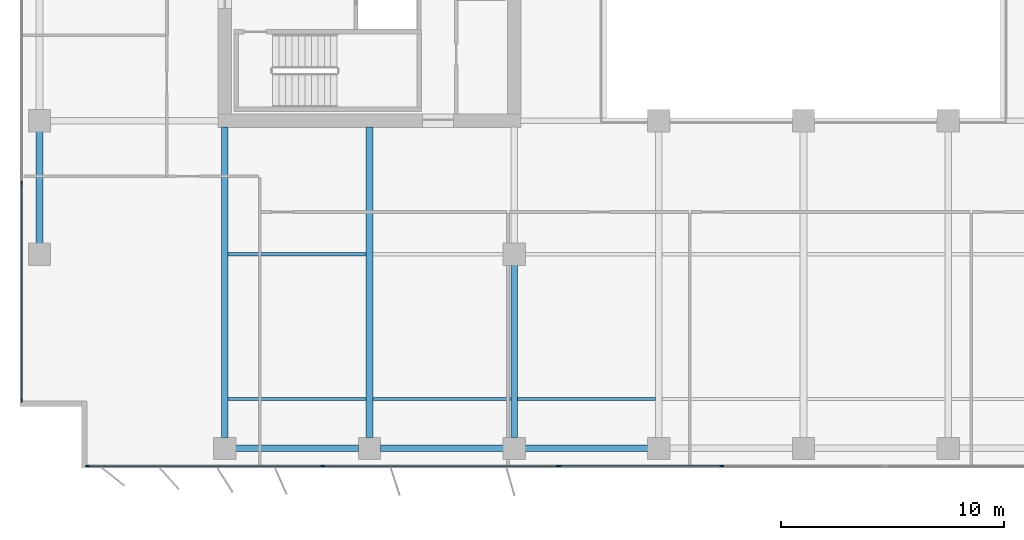
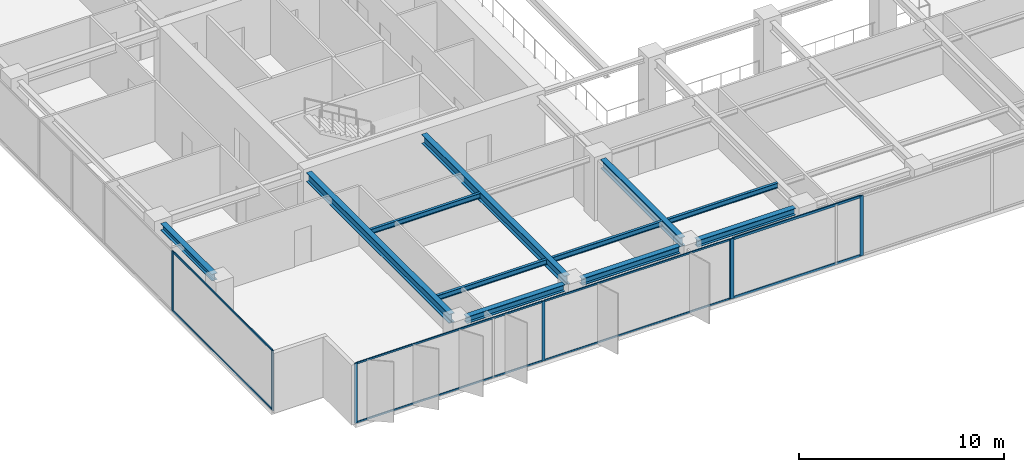
# One storey, part 2 of 22: 15 members, 11 beams, 3 elements without a shape of their own.
"""IFC4 building model written with IfcOpenShell, lengths in metres."""

from ifc_helpers import new_model, si_unit, direction, frame, origin, origin_2d, place, context, subcontext, project, spatial, rectangle, i_section, extrude, material, layer, layer_set, material_profile, profile_set, type_object, element, aggregate, save


model = new_model("IFC4")

# Units and contexts
model_context = context("Model", 3, precision=1e-05, world=origin(), true_north=direction((0.0, 1.0)))
body_context = subcontext(model_context, "Body", "Model", "MODEL_VIEW")
ifc_project = project(units=[si_unit("LENGTHUNIT", "METRE"), si_unit("AREAUNIT", "SQUARE_METRE"), si_unit("VOLUMEUNIT", "CUBIC_METRE"), si_unit("PLANEANGLEUNIT", "RADIAN"), si_unit("MASSUNIT", "GRAM", prefix="KILO")], contexts=[model_context])

# Site, building, storey
site_placement = place(None, origin())
site = spatial("IfcSite", under=ifc_project, at=site_placement, CompositionType="ELEMENT")
building_placement = place(site_placement, origin())
building = spatial("IfcBuilding", under=site, at=building_placement, Name="Putna Gate Headquarters", CompositionType="ELEMENT")
storey_placement = place(building_placement, frame((0.0, 0.0, 189.800048828125)))
storey = spatial("IfcBuildingStorey", under=building, at=storey_placement, Name="L47", CompositionType="ELEMENT", Elevation=189.800048828125)

# Beams
ifc_material_1 = material(Name="Steel S355J2", Category="steel")
ifc_material_profile_1 = material_profile(ifc_material_1, i_section(OverallWidth=0.300048828125, OverallDepth=0.550048828125, WebThickness=0.014892578125, FlangeThickness=0.029052734375, at=origin_2d()), Name="Steel S355J2")
ifc_profile_set_1 = profile_set([ifc_material_profile_1], Name="Steel S355J2")
beam_type_1 = type_object("IfcBeamType", Name="BM-GIRD-Z3-HEB550", PredefinedType="USERDEFINED", material=ifc_profile_set_1)
for number, where, z_axis, x_axis, name in (
    (1, (13.0, 4.76806640625, 3.296875), (0.0, 1.0, 0.0), (-1.0, 0.0, 0.0), "L47 South Primary Girder X13"),
    (2, (19.5, 4.76806640625, 3.296875), (0.0, 1.0, 0.0), (-1.0, 0.0, 0.0), "L47 South Primary Girder X19"),
):
    element("IfcBeam", number, at=place(storey_placement, frame(where, z_axis=z_axis, x_axis=x_axis)), inside=storey, type_object=beam_type_1, Name=name, ObjectType="GIRDER", PredefinedType="USERDEFINED", context=body_context, shape_type="SweptSolid", body=[
        extrude(i_section(OverallWidth=0.300048828125, OverallDepth=0.550048828125, WebThickness=0.014892578125, FlangeThickness=0.029052734375, at=origin_2d()), origin(), (0.0, 0.0, 1.0), 13.947021484375),
    ])
beam_1_placement = place(storey_placement, frame((26.0, 4.76806640625, 3.296875), z_axis=(0.0, 1.0, 0.0), x_axis=(-1.0, 0.0, 0.0)))
element("IfcBeam", 3, at=beam_1_placement, inside=storey, type_object=beam_type_1, Name="L47 South Primary Girder X26-1", ObjectType="GIRDER", PredefinedType="USERDEFINED", context=body_context, shape_type="SweptSolid", body=[
    extrude(i_section(OverallWidth=0.300048828125, OverallDepth=0.550048828125, WebThickness=0.014892578125, FlangeThickness=0.029052734375, at=origin_2d()), origin(), (0.0, 0.0, 1.0), 7.743896484375),
])
ifc_material_profile_2 = material_profile(ifc_material_1, i_section(OverallWidth=0.14990234375, OverallDepth=0.300048828125, WebThickness=0.007080078125, FlangeThickness=0.0107421875, at=origin_2d()), Name="Steel S355J2")
ifc_profile_set_2 = profile_set([ifc_material_profile_2], Name="Steel S355J2")
beam_type_2 = type_object("IfcBeamType", Name="BM-SEC-Z3-IPE300", PredefinedType="JOIST", material=ifc_profile_set_2)
for number, where, z_axis, x_axis, name in (
    (4, (13.154052734375, 6.5, 3.421875), (1.0, 0.0, 0.0), (0.0, 1.0, 0.0), "L47 South Secondary Beam 1"),
    (5, (13.154052734375, 13.0, 3.421875), (1.0, 0.0, 0.0), (0.0, 1.0, 0.0), "L47 South Secondary Beam 1"),
    (6, (19.654052734375, 6.5, 3.421875), (1.0, 0.0, 0.0), (0.0, 1.0, 0.0), "L47 South Secondary Beam 2"),
    (7, (26.154052734375, 6.5, 3.421875), (1.0, 0.0, 0.0), (0.0, 1.0, 0.0), "L47 South Secondary Beam 3"),
):
    element("IfcBeam", number, at=place(storey_placement, frame(where, z_axis=z_axis, x_axis=x_axis)), inside=storey, type_object=beam_type_2, Name=name, PredefinedType="JOIST", context=body_context, shape_type="SweptSolid", body=[
        extrude(i_section(OverallWidth=0.14990234375, OverallDepth=0.300048828125, WebThickness=0.007080078125, FlangeThickness=0.0107421875, at=origin_2d()), origin(), (0.0, 0.0, 1.0), 6.19189453125),
    ])
ifc_material_profile_3 = material_profile(ifc_material_1, i_section(OverallWidth=0.300048828125, OverallDepth=0.39990234375, WebThickness=0.013427734375, FlangeThickness=0.02392578125, at=origin_2d()), Name="Steel S355J2")
ifc_profile_set_3 = profile_set([ifc_material_profile_3], Name="Steel S355J2")
beam_type_3 = type_object("IfcBeamType", Name="BM-SPAN-Z3-HEB400", PredefinedType="SPANDREL", material=ifc_profile_set_3)
for number, where, z_axis, x_axis, name in (
    (8, (13.488037109375, 4.280029296875, 3.3720703125), (1.0, 0.0, 0.0), (0.0, 1.0, 0.0), "L47 S Perimeter Spandrel 1"),
    (9, (19.988037109375, 4.280029296875, 3.3720703125), (1.0, 0.0, 0.0), (0.0, 1.0, 0.0), "L47 S Perimeter Spandrel 2"),
    (10, (26.488037109375, 4.280029296875, 3.3720703125), (1.0, 0.0, 0.0), (0.0, 1.0, 0.0), "L47 S Perimeter Spandrel 3"),
):
    element("IfcBeam", number, at=place(storey_placement, frame(where, z_axis=z_axis, x_axis=x_axis)), inside=storey, type_object=beam_type_3, Name=name, PredefinedType="SPANDREL", context=body_context, shape_type="SweptSolid", body=[
        extrude(i_section(OverallWidth=0.300048828125, OverallDepth=0.39990234375, WebThickness=0.013427734375, FlangeThickness=0.02392578125, at=origin_2d()), origin(), (0.0, 0.0, 1.0), 5.52392578125),
    ])
beam_2_placement = place(storey_placement, frame((4.679931640625, 13.488037109375, 3.3720703125), z_axis=(0.0, 1.0, 0.0), x_axis=(-1.0, 0.0, 0.0)))
element("IfcBeam", 11, at=beam_2_placement, inside=storey, type_object=beam_type_3, Name="L47 W End Spandrel 1", PredefinedType="SPANDREL", context=body_context, shape_type="SweptSolid", body=[
    extrude(i_section(OverallWidth=0.300048828125, OverallDepth=0.39990234375, WebThickness=0.013427734375, FlangeThickness=0.02392578125, at=origin_2d()), origin(), (0.0, 0.0, 1.0), 5.02392578125),
])

# Curtain wall, members
ifc_material_2 = material(Name="Anodised bronze aluminium curtain wall", Category="aluminium")
ifc_layer_1 = layer(ifc_material_2, 0.159912109375)
ifc_layer_set_1 = layer_set([ifc_layer_1], Name="Anodised bronze aluminium curtain wall")
curtain_wall_type_1 = type_object("IfcCurtainWallType", Name="CW-SYS-Z3", PredefinedType="USERDEFINED", material=ifc_layer_set_1)
curtain_wall_1_placement = place(storey_placement, origin())
curtain_wall_1 = element("IfcCurtainWall", 12, at=curtain_wall_1_placement, inside=storey, type_object=curtain_wall_type_1, Name="L47 South West Curtain Wall", ObjectType="STICK CURTAIN WALL", PredefinedType="USERDEFINED")
ifc_material_3 = material(Name="Anodised bronze aluminium EN AW-6060", Category="aluminium")
ifc_material_profile_4 = material_profile(ifc_material_3, rectangle(XDim=0.06494140625, YDim=0.159912109375, at=origin_2d()), Name="Anodised bronze aluminium EN AW-6060")
ifc_profile_set_4 = profile_set([ifc_material_profile_4], Name="Anodised bronze aluminium EN AW-6060")
member_type_1 = type_object("IfcMemberType", Name="MULL-CWM-3", PredefinedType="MULLION", material=ifc_profile_set_4)
member_1_placement = place(storey_placement, frame((6.83251953125, 3.47998046875, 0.0), z_axis=(0.0, 0.0, 1.0), x_axis=(0.0, 1.0, 0.0)))
member_1 = element("IfcMember", 13, at=member_1_placement, type_object=member_type_1, Name="CWS-3 mullion 1", PredefinedType="MULLION", context=body_context, shape_type="SweptSolid", body=[
    extrude(rectangle(XDim=0.06494140625, YDim=0.159912109375, at=origin_2d()), origin(), (0.0, 0.0, 1.0), 3.572021484375),
])
member_2_placement = place(storey_placement, frame((17.39990234375, 3.47998046875, 0.0), z_axis=(0.0, 0.0, 1.0), x_axis=(0.0, 1.0, 0.0)))
member_2 = element("IfcMember", 14, at=member_2_placement, type_object=member_type_1, Name="CWS-3 mullion 2", PredefinedType="MULLION", context=body_context, shape_type="SweptSolid", body=[
    extrude(rectangle(XDim=0.06494140625, YDim=0.159912109375, at=origin_2d()), origin(), (0.0, 0.0, 1.0), 3.572021484375),
])
member_3_placement = place(storey_placement, frame((27.967529296875, 3.47998046875, 0.0), z_axis=(0.0, 0.0, 1.0), x_axis=(0.0, 1.0, 0.0)))
member_3 = element("IfcMember", 15, at=member_3_placement, type_object=member_type_1, Name="CWS-3 mullion 3", PredefinedType="MULLION", context=body_context, shape_type="SweptSolid", body=[
    extrude(rectangle(XDim=0.06494140625, YDim=0.159912109375, at=origin_2d()), origin(), (0.0, 0.0, 1.0), 3.572021484375),
])

curtain_wall_2_placement = place(storey_placement, origin())
curtain_wall_2 = element("IfcCurtainWall", 16, at=curtain_wall_2_placement, inside=storey, type_object=curtain_wall_type_1, Name="L47 West Curtain Wall", ObjectType="STICK CURTAIN WALL", PredefinedType="USERDEFINED")
member_4_placement = place(storey_placement, frame((3.8798828125, 6.4326171875, 0.0), z_axis=(0.0, 0.0, 1.0), x_axis=(-1.0, 0.0, 0.0)))
member_4 = element("IfcMember", 17, at=member_4_placement, type_object=member_type_1, Name="CWS-3 mullion 1", PredefinedType="MULLION", context=body_context, shape_type="SweptSolid", body=[
    extrude(rectangle(XDim=0.06494140625, YDim=0.159912109375, at=origin_2d()), origin(), (0.0, 0.0, 1.0), 3.572021484375),
])
member_5_placement = place(storey_placement, frame((3.8798828125, 16.199951171875, 0.0), z_axis=(0.0, 0.0, 1.0), x_axis=(-1.0, 0.0, 0.0)))
member_5 = element("IfcMember", 18, at=member_5_placement, type_object=member_type_1, Name="CWS-3 mullion 2", PredefinedType="MULLION", context=body_context, shape_type="SweptSolid", body=[
    extrude(rectangle(XDim=0.06494140625, YDim=0.159912109375, at=origin_2d()), origin(), (0.0, 0.0, 1.0), 3.572021484375),
])

ifc_layer_2 = layer(ifc_material_2, 0.179931640625)
ifc_layer_set_2 = layer_set([ifc_layer_2], Name="Anodised bronze aluminium curtain wall")
curtain_wall_type_2 = type_object("IfcCurtainWallType", Name="CW-SYS-ATR", PredefinedType="USERDEFINED", material=ifc_layer_set_2)
curtain_wall_3_placement = place(storey_placement, origin())
curtain_wall_3 = element("IfcCurtainWall", 19, at=curtain_wall_3_placement, inside=storey, type_object=curtain_wall_type_2, Name="L47 South Atrium Clear Glazing", ObjectType="ATRIUM GLAZING", PredefinedType="USERDEFINED")
ifc_material_profile_5 = material_profile(ifc_material_3, rectangle(XDim=0.070068359375, YDim=0.179931640625, at=origin_2d()), Name="Anodised bronze aluminium EN AW-6060")
ifc_profile_set_5 = profile_set([ifc_material_profile_5], Name="Anodised bronze aluminium EN AW-6060")
member_type_2 = type_object("IfcMemberType", Name="MULL-CWM-AT", PredefinedType="MULLION", material=ifc_profile_set_5)
member_6_placement = place(storey_placement, frame((28.034912109375, 3.47998046875, 0.0), z_axis=(0.0, 0.0, 1.0), x_axis=(0.0, 1.0, 0.0)))
member_6 = element("IfcMember", 20, at=member_6_placement, type_object=member_type_2, Name="CWS-AT mullion 1", PredefinedType="MULLION", context=body_context, shape_type="SweptSolid", body=[
    extrude(rectangle(XDim=0.070068359375, YDim=0.179931640625, at=origin_2d()), origin(), (0.0, 0.0, 1.0), 3.572021484375),
])
member_7_placement = place(storey_placement, frame((35.333251953125, 3.47998046875, 0.0), z_axis=(0.0, 0.0, 1.0), x_axis=(0.0, 1.0, 0.0)))
member_7 = element("IfcMember", 21, at=member_7_placement, type_object=member_type_2, Name="CWS-AT mullion 2", PredefinedType="MULLION", context=body_context, shape_type="SweptSolid", body=[
    extrude(rectangle(XDim=0.070068359375, YDim=0.179931640625, at=origin_2d()), origin(), (0.0, 0.0, 1.0), 3.572021484375),
])

# Member
ifc_material_profile_6 = material_profile(ifc_material_3, rectangle(XDim=0.06005859375, YDim=0.10009765625, at=origin_2d()), Name="Anodised bronze aluminium EN AW-6060")
ifc_profile_set_6 = profile_set([ifc_material_profile_6], Name="Anodised bronze aluminium EN AW-6060")
member_type_3 = type_object("IfcMemberType", Name="TRAN-CWT-3", PredefinedType="USERDEFINED", material=ifc_profile_set_6)
member_8_placement = place(storey_placement, frame((6.864990234375, 3.47998046875, 0.030029296875), z_axis=(1.0, 0.0, 0.0), x_axis=(0.0, 1.0, 0.0)))
member_8 = element("IfcMember", 22, at=member_8_placement, type_object=member_type_3, Name="CWS-3 transom 1.1", ObjectType="TRANSOM", PredefinedType="USERDEFINED", context=body_context, shape_type="SweptSolid", body=[
    extrude(rectangle(XDim=0.06005859375, YDim=0.10009765625, at=origin_2d()), origin(), (0.0, 0.0, 1.0), 10.50244140625),
])

member_9_placement = place(storey_placement, frame((6.864990234375, 3.47998046875, 3.5419921875), z_axis=(1.0, 0.0, 0.0), x_axis=(0.0, 1.0, 0.0)))
member_9 = element("IfcMember", 23, at=member_9_placement, type_object=member_type_3, Name="CWS-3 transom 1.2", ObjectType="TRANSOM", PredefinedType="USERDEFINED", context=body_context, shape_type="SweptSolid", body=[
    extrude(rectangle(XDim=0.06005859375, YDim=0.10009765625, at=origin_2d()), origin(), (0.0, 0.0, 1.0), 10.50244140625),
])

member_10_placement = place(storey_placement, frame((17.4326171875, 3.47998046875, 0.030029296875), z_axis=(1.0, 0.0, 0.0), x_axis=(0.0, 1.0, 0.0)))
member_10 = element("IfcMember", 24, at=member_10_placement, type_object=member_type_3, Name="CWS-3 transom 2.1", ObjectType="TRANSOM", PredefinedType="USERDEFINED", context=body_context, shape_type="SweptSolid", body=[
    extrude(rectangle(XDim=0.06005859375, YDim=0.10009765625, at=origin_2d()), origin(), (0.0, 0.0, 1.0), 10.50244140625),
])

member_11_placement = place(storey_placement, frame((17.4326171875, 3.47998046875, 3.5419921875), z_axis=(1.0, 0.0, 0.0), x_axis=(0.0, 1.0, 0.0)))
member_11 = element("IfcMember", 25, at=member_11_placement, type_object=member_type_3, Name="CWS-3 transom 2.2", ObjectType="TRANSOM", PredefinedType="USERDEFINED", context=body_context, shape_type="SweptSolid", body=[
    extrude(rectangle(XDim=0.06005859375, YDim=0.10009765625, at=origin_2d()), origin(), (0.0, 0.0, 1.0), 10.50244140625),
])

aggregate(curtain_wall_1, [member_1, member_2, member_3, member_8, member_9, member_10, member_11])

member_12_placement = place(storey_placement, frame((3.8798828125, 6.465087890625, 0.030029296875), z_axis=(0.0, 1.0, 0.0), x_axis=(-1.0, 0.0, 0.0)))
member_12 = element("IfcMember", 26, at=member_12_placement, type_object=member_type_3, Name="CWS-3 transom 1.1", ObjectType="TRANSOM", PredefinedType="USERDEFINED", context=body_context, shape_type="SweptSolid", body=[
    extrude(rectangle(XDim=0.06005859375, YDim=0.10009765625, at=origin_2d()), origin(), (0.0, 0.0, 1.0), 9.702392578125),
])

member_13_placement = place(storey_placement, frame((3.8798828125, 6.465087890625, 3.5419921875), z_axis=(0.0, 1.0, 0.0), x_axis=(-1.0, 0.0, 0.0)))
member_13 = element("IfcMember", 27, at=member_13_placement, type_object=member_type_3, Name="CWS-3 transom 1.2", ObjectType="TRANSOM", PredefinedType="USERDEFINED", context=body_context, shape_type="SweptSolid", body=[
    extrude(rectangle(XDim=0.06005859375, YDim=0.10009765625, at=origin_2d()), origin(), (0.0, 0.0, 1.0), 9.702392578125),
])

aggregate(curtain_wall_2, [member_4, member_5, member_12, member_13])

ifc_material_profile_7 = material_profile(ifc_material_3, rectangle(XDim=0.070068359375, YDim=0.139892578125, at=origin_2d()), Name="Anodised bronze aluminium EN AW-6060")
ifc_profile_set_7 = profile_set([ifc_material_profile_7], Name="Anodised bronze aluminium EN AW-6060")
member_type_4 = type_object("IfcMemberType", Name="TRAN-CWT-AT", PredefinedType="USERDEFINED", material=ifc_profile_set_7)
member_14_placement = place(storey_placement, frame((28.070068359375, 3.47998046875, 0.034912109375), z_axis=(1.0, 0.0, 0.0), x_axis=(0.0, 1.0, 0.0)))
member_14 = element("IfcMember", 28, at=member_14_placement, type_object=member_type_4, Name="CWS-AT transom 1.1", ObjectType="TRANSOM", PredefinedType="USERDEFINED", context=body_context, shape_type="SweptSolid", body=[
    extrude(rectangle(XDim=0.070068359375, YDim=0.139892578125, at=origin_2d()), origin(), (0.0, 0.0, 1.0), 7.228271484375),
])

member_15_placement = place(storey_placement, frame((28.070068359375, 3.47998046875, 3.536865234375), z_axis=(1.0, 0.0, 0.0), x_axis=(0.0, 1.0, 0.0)))
member_15 = element("IfcMember", 29, at=member_15_placement, type_object=member_type_4, Name="CWS-AT transom 1.2", ObjectType="TRANSOM", PredefinedType="USERDEFINED", context=body_context, shape_type="SweptSolid", body=[
    extrude(rectangle(XDim=0.070068359375, YDim=0.139892578125, at=origin_2d()), origin(), (0.0, 0.0, 1.0), 7.228271484375),
])

aggregate(curtain_wall_3, [member_6, member_7, member_14, member_15])

save(model, "model.ifc")
